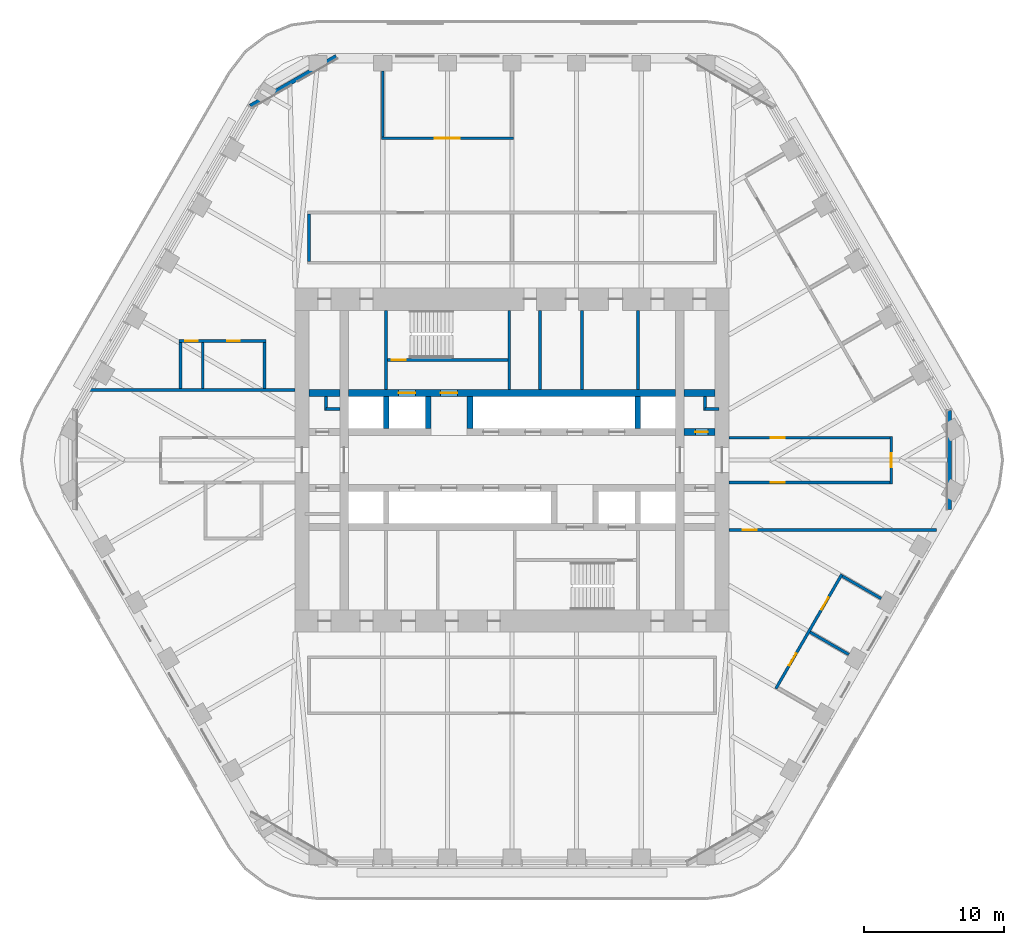
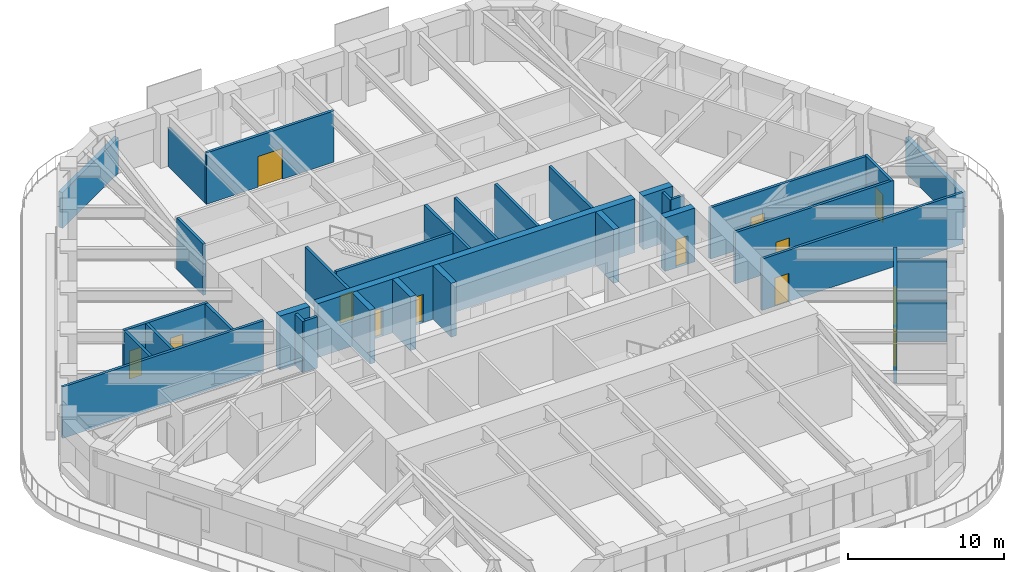
# One storey, part 16 of 20: 35 walls, 13 doors, 13 openings.
"""IFC4 building model written with IfcOpenShell, lengths in metres."""

from ifc_helpers import new_model, si_unit, direction, frame, frame_2d, origin, place, context, subcontext, project, spatial, rectangle, extrude, material, layer, layer_set, type_object, element, fill, save


model = new_model("IFC4")

# Units and contexts
model_context = context("Model", 3, precision=1e-05, world=origin(), true_north=direction((0.0, 1.0)))
body_context = subcontext(model_context, "Body", "Model", "MODEL_VIEW")
ifc_project = project(units=[si_unit("LENGTHUNIT", "METRE"), si_unit("AREAUNIT", "SQUARE_METRE"), si_unit("VOLUMEUNIT", "CUBIC_METRE"), si_unit("PLANEANGLEUNIT", "RADIAN"), si_unit("MASSUNIT", "GRAM", prefix="KILO")], contexts=[model_context])

# Site, building, storey
site_placement = place(None, origin())
site = spatial("IfcSite", under=ifc_project, at=site_placement, CompositionType="ELEMENT")
building_placement = place(site_placement, origin())
building = spatial("IfcBuilding", under=site, at=building_placement, Name="Tarfa Lantern Tower", CompositionType="ELEMENT")
storey_placement = place(building_placement, frame((0.0, 0.0, 240.699951171875)))
storey = spatial("IfcBuildingStorey", under=building, at=storey_placement, Name="L54", CompositionType="ELEMENT", Elevation=240.699951171875)

# Walls
ifc_material_1 = material(Name="Limestone cladding on blockwork", Category="masonry")
ifc_layer_1 = layer(ifc_material_1, 0.300048828125)
ifc_layer_set_1 = layer_set([ifc_layer_1], Name="EW1 STONE-CLAD WALL 300")
wall_type_1 = type_object("IfcWallType", Name="EW1 STONE-CLAD WALL 300", PredefinedType="SOLIDWALL", material=ifc_layer_set_1)
wall_1_placement = place(storey_placement, frame((-12.556396484375, 28.85009765625, 0.0), z_axis=(0.0, 0.0, 1.0), x_axis=(-0.866010973379, -0.500024993363, 0.0)))
element("IfcWall", 1, at=wall_1_placement, inside=storey, type_object=wall_type_1, Name="Garden wall N-NW", PredefinedType="SOLIDWALL", context=body_context, shape_type="SweptSolid", body=[
    extrude(rectangle(XDim=7.101806640625, YDim=0.300048828125, at=frame_2d((3.55078125, 0.0))), origin(), (0.0, 0.0, 1.0), 2.800048828125),
])
wall_2_placement = place(storey_placement, frame((31.262939453125, -3.55078125, 0.0), z_axis=(0.0, 0.0, 1.0), x_axis=(0.0, 1.0, 0.0)))
element("IfcWall", 2, at=wall_2_placement, inside=storey, type_object=wall_type_1, Name="Garden wall SE-NE", PredefinedType="SOLIDWALL", context=body_context, shape_type="SweptSolid", body=[
    extrude(rectangle(XDim=7.1015625, YDim=0.300048828125, at=frame_2d((3.55078125, 0.0))), origin(), (0.0, 0.0, 1.0), 2.800048828125),
])
ifc_material_2 = material(Name="Concrete blockwork", Category="masonry")
ifc_layer_2 = layer(ifc_material_2, 0.199951171875)
ifc_layer_set_2 = layer_set([ifc_layer_2], Name="IW1 BLOCKWORK PARTITION 200 EI 120")
wall_type_2 = type_object("IfcWallType", Name="IW1 BLOCKWORK PARTITION 200 EI 120", PredefinedType="PARTITIONING", material=ifc_layer_set_2)
for number, where, z_axis, x_axis, name in (
    (3, (-9.0, 5.050048828125, 0.0), (0.0, 0.0, 1.0), (0.0, 1.0, 0.0), "Core partition"),
    (4, (9.0, 5.050048828125, 0.0), (0.0, 0.0, 1.0), (0.0, 1.0, 0.0), "Core partition"),
    (5, (2.0, 5.050048828125, 0.0), (0.0, 0.0, 1.0), (0.0, 1.0, 0.0), "Core partition"),
    (6, (5.0, 5.050048828125, 0.0), (0.0, 0.0, 1.0), (0.0, 1.0, 0.0), "Core partition"),
):
    element("IfcWall", number, at=place(storey_placement, frame(where, z_axis=z_axis, x_axis=x_axis)), inside=storey, type_object=wall_type_2, Name=name, PredefinedType="PARTITIONING", context=body_context, shape_type="SweptSolid", body=[
        extrude(rectangle(XDim=5.64990234375, YDim=0.199951171875, at=frame_2d((2.824951171875, 0.0))), origin(), (0.0, 0.0, 1.0), 4.0),
    ])
for number, where, z_axis, x_axis, name in (
    (7, (-13.300048828125, 3.64990234375, 0.0), (0.0, 0.0, 1.0), (1.0, 0.0, 0.0), "Core partition"),
    (8, (-13.300048828125, 3.550048828125, 0.0), (0.0, 0.0, 1.0), (0.0, 1.0, 0.0), "Core partition"),
    (9, (13.800048828125, 3.64990234375, 0.0), (0.0, 0.0, 1.0), (1.0, 0.0, 0.0), "Core partition"),
    (10, (13.800048828125, 3.550048828125, 0.0), (0.0, 0.0, 1.0), (0.0, 1.0, 0.0), "Core partition"),
):
    element("IfcWall", number, at=place(storey_placement, frame(where, z_axis=z_axis, x_axis=x_axis)), inside=storey, type_object=wall_type_2, Name=name, PredefinedType="PARTITIONING", context=body_context, shape_type="SweptSolid", body=[
        extrude(rectangle(XDim=1.0, YDim=0.199951171875, at=frame_2d((0.5, 0.0))), origin(), (0.0, 0.0, 1.0), 4.0),
    ])
ifc_material_3 = material(Name="Gypsum board on steel studs", Category="steel")
ifc_layer_3 = layer(ifc_material_3, 0.2099609375)
ifc_layer_set_3 = layer_set([ifc_layer_3], Name="IW2 ACOUSTIC PARTITION 200")
wall_type_3 = type_object("IfcWallType", Name="IW2 ACOUSTIC PARTITION 200", PredefinedType="PARTITIONING", material=ifc_layer_set_3)
wall_3_placement = place(storey_placement, frame((-14.5, 14.199951171875, 0.0), z_axis=(0.0, 0.0, 1.0), x_axis=(0.0, 1.0, 0.0)))
element("IfcWall", 11, at=wall_3_placement, inside=storey, type_object=wall_type_3, Name="Partition", PredefinedType="PARTITIONING", context=body_context, shape_type="SweptSolid", body=[
    extrude(rectangle(XDim=3.400146484375, YDim=0.199951171875, at=frame_2d((1.7001953125, 0.0))), origin(), (0.0, 0.0, 1.0), 4.0),
])

# Wall, opening, door
wall_4_placement = place(storey_placement, frame((0.10009765625, 23.0, 0.0), z_axis=(0.0, 0.0, 1.0), x_axis=(-1.0, 0.0, 0.0)))
wall_4 = element("IfcWall", 12, at=wall_4_placement, inside=storey, type_object=wall_type_3, Name="Partition", PredefinedType="PARTITIONING", context=body_context, shape_type="SweptSolid", body=[
    extrude(rectangle(XDim=9.437744140625, YDim=0.199951171875, at=frame_2d((4.71875, 0.0))), origin(), (0.0, 0.0, 1.0), 4.0),
])
opening_1_placement = place(wall_4_placement, frame((3.81884765625, 0.0, 0.0)))
opening_1 = element("IfcOpeningElement", 13, at=opening_1_placement, cuts=wall_4, Name="Opening D27", PredefinedType="OPENING", context=body_context, shape_type="SweptSolid", body=[
    extrude(rectangle(XDim=1.800048828125, YDim=2.39990234375, at=frame_2d((0.89990234375, 1.199951171875))), frame((0.0, 0.10986328125, 0.0), z_axis=(0.0, -1.0, 0.0), x_axis=(1.0, 0.0, 0.0)), (0.0, 0.0, 1.0), 0.219970703125),
])
ifc_material_4 = material(Name="Timber door", Category="wood")
door_type_1 = type_object("IfcDoorType", Name="DR2 ROOM DOOR 1800x2400", OperationType="DOUBLE_DOOR_SINGLE_SWING", PredefinedType="DOOR", material=ifc_material_4)
door_1_placement = place(opening_1_placement, frame((1.800048828125, 0.0, 0.0), z_axis=(0.0, 0.0, 1.0), x_axis=(-1.0, 0.0, 0.0)))
door_1 = element("IfcDoor", 14, at=door_1_placement, inside=storey, type_object=door_type_1, Name="Hearing room door", OperationType="DOUBLE_DOOR_SINGLE_SWING", OverallHeight=2.39990234375, OverallWidth=1.800048828125, PredefinedType="DOOR", context=body_context, shape_type="SweptSolid", body=[
    extrude(rectangle(XDim=1.800048828125, YDim=2.39990234375, at=frame_2d((0.89990234375, 1.199951171875))), frame((0.0, 0.02490234375, 0.0), z_axis=(0.0, -1.0, 0.0), x_axis=(1.0, 0.0, 0.0)), (0.0, 0.0, 1.0), 0.050048828125),
])
fill(opening_1, door_1)

# Wall
wall_5_placement = place(storey_placement, frame((-9.237548828125, 23.10009765625, 0.0), z_axis=(0.0, 0.0, 1.0), x_axis=(0.0, 1.0, 0.0)))
element("IfcWall", 15, at=wall_5_placement, inside=storey, type_object=wall_type_3, Name="Partition", PredefinedType="PARTITIONING", context=body_context, shape_type="SweptSolid", body=[
    extrude(rectangle(XDim=4.699951171875, YDim=0.199951171875, at=frame_2d((2.35009765625, 0.0))), origin(), (0.0, 0.0, 1.0), 2.991943359375),
])

# Wall, openings, doors
wall_6_placement = place(storey_placement, frame((18.858154296875, -16.336669921875, 0.0), z_axis=(0.0, 0.0, 1.0), x_axis=(0.499989672313, 0.866031366395, 0.0)))
wall_6 = element("IfcWall", 16, at=wall_6_placement, inside=storey, type_object=wall_type_3, Name="Partition", PredefinedType="PARTITIONING", context=body_context, shape_type="SweptSolid", body=[
    extrude(rectangle(XDim=9.437744140625, YDim=0.199951171875, at=frame_2d((4.71875, 0.0))), origin(), (0.0, 0.0, 1.0), 4.0),
])
opening_2_placement = place(wall_6_placement, frame((1.909423828125, 0.0, 0.0)))
opening_2 = element("IfcOpeningElement", 17, at=opening_2_placement, cuts=wall_6, Name="Opening D32", PredefinedType="OPENING", context=body_context, shape_type="SweptSolid", body=[
    extrude(rectangle(XDim=1.0, YDim=2.199951171875, at=frame_2d((0.5, 1.10009765625))), frame((0.0, 0.10986328125, 0.0), z_axis=(0.0, -1.0, 0.0), x_axis=(1.0, 0.0, 0.0)), (0.0, 0.0, 1.0), 0.219970703125),
])
opening_3_placement = place(wall_6_placement, frame((6.5283203125, 0.0, 0.0)))
opening_3 = element("IfcOpeningElement", 18, at=opening_3_placement, cuts=wall_6, Name="Opening D33", PredefinedType="OPENING", context=body_context, shape_type="SweptSolid", body=[
    extrude(rectangle(XDim=1.0, YDim=2.199951171875, at=frame_2d((0.5, 1.10009765625))), frame((0.0, 0.10986328125, 0.0), z_axis=(0.0, -1.0, 0.0), x_axis=(1.0, 0.0, 0.0)), (0.0, 0.0, 1.0), 0.219970703125),
])
door_type_2 = type_object("IfcDoorType", Name="DR1 ROOM DOOR 1000x2200", OperationType="SINGLE_SWING_LEFT", PredefinedType="DOOR", material=ifc_material_4)
door_2_placement = place(opening_2_placement, frame((1.0, 0.0, 0.0), z_axis=(0.0, 0.0, 1.0), x_axis=(-1.0, 0.0, 0.0)))
door_2 = element("IfcDoor", 19, at=door_2_placement, inside=storey, type_object=door_type_2, Name="Investigator's office door", OperationType="SINGLE_SWING_LEFT", OverallHeight=2.199951171875, OverallWidth=1.0, PredefinedType="DOOR", context=body_context, shape_type="SweptSolid", body=[
    extrude(rectangle(XDim=1.0, YDim=2.199951171875, at=frame_2d((0.5, 1.10009765625))), frame((0.0, 0.02490234375, 0.0), z_axis=(0.0, -1.0, 0.0), x_axis=(1.0, 0.0, 0.0)), (0.0, 0.0, 1.0), 0.050048828125),
])
fill(opening_2, door_2)
door_3_placement = place(opening_3_placement, frame((1.0, 0.0, 0.0), z_axis=(0.0, 0.0, 1.0), x_axis=(-1.0, 0.0, 0.0)))
door_3 = element("IfcDoor", 20, at=door_3_placement, inside=storey, type_object=door_type_2, Name="Investigator's office door", OperationType="SINGLE_SWING_RIGHT", OverallHeight=2.199951171875, OverallWidth=1.0, PredefinedType="DOOR", context=body_context, shape_type="SweptSolid", body=[
    extrude(rectangle(XDim=1.0, YDim=2.199951171875, at=frame_2d((0.5, 1.10009765625))), frame((0.0, 0.02490234375, 0.0), z_axis=(0.0, -1.0, 0.0), x_axis=(1.0, 0.0, 0.0)), (0.0, 0.0, 1.0), 0.050048828125),
])
fill(opening_3, door_3)

# Walls
wall_7_placement = place(storey_placement, frame((21.30419921875, -12.300048828125, 0.0), z_axis=(0.0, 0.0, 1.0), x_axis=(0.866042017984, -0.499971222258, 0.0)))
element("IfcWall", 21, at=wall_7_placement, inside=storey, type_object=wall_type_3, Name="Partition", PredefinedType="PARTITIONING", context=body_context, shape_type="SweptSolid", body=[
    extrude(rectangle(XDim=3.199951171875, YDim=0.199951171875, at=frame_2d((1.60009765625, 0.0))), origin(), (0.0, 0.0, 1.0), 3.08154296875),
])
wall_8_placement = place(storey_placement, frame((23.613525390625, -8.300048828125, 0.0), z_axis=(0.0, 0.0, 1.0), x_axis=(0.866061088033, -0.499938187974, 0.0)))
element("IfcWall", 22, at=wall_8_placement, inside=storey, type_object=wall_type_3, Name="Partition", PredefinedType="PARTITIONING", context=body_context, shape_type="SweptSolid", body=[
    extrude(rectangle(XDim=3.2001953125, YDim=0.199951171875, at=frame_2d((1.60009765625, 0.0))), origin(), (0.0, 0.0, 1.0), 3.08154296875),
])

# Wall, opening, door
wall_9_placement = place(storey_placement, frame((15.5, 1.60009765625, 0.0), z_axis=(0.0, 0.0, 1.0), x_axis=(1.0, 0.0, 0.0)))
wall_9 = element("IfcWall", 23, at=wall_9_placement, inside=storey, type_object=wall_type_3, Name="Partition", PredefinedType="PARTITIONING", context=body_context, shape_type="SweptSolid", body=[
    extrude(rectangle(XDim=11.699951171875, YDim=0.199951171875, at=frame_2d((5.85009765625, 0.0))), origin(), (0.0, 0.0, 1.0), 4.0),
])
opening_4_placement = place(wall_9_placement, frame((3.010009765625, 0.0, 0.0)))
opening_4 = element("IfcOpeningElement", 24, at=opening_4_placement, cuts=wall_9, Name="Opening D41", PredefinedType="OPENING", context=body_context, shape_type="SweptSolid", body=[
    extrude(rectangle(XDim=1.0, YDim=2.199951171875, at=frame_2d((0.5, 1.10009765625))), frame((0.0, 0.10986328125, 0.0), z_axis=(0.0, -1.0, 0.0), x_axis=(1.0, 0.0, 0.0)), (0.0, 0.0, 1.0), 0.219970703125),
])
door_4_placement = place(opening_4_placement, origin())
door_4 = element("IfcDoor", 25, at=door_4_placement, inside=storey, type_object=door_type_2, Name="Corridor door", OperationType="SINGLE_SWING_RIGHT", OverallHeight=2.199951171875, OverallWidth=1.0, PredefinedType="DOOR", context=body_context, shape_type="SweptSolid", body=[
    extrude(rectangle(XDim=1.0, YDim=2.199951171875, at=frame_2d((0.5, 1.10009765625))), frame((0.0, 0.02490234375, 0.0), z_axis=(0.0, -1.0, 0.0), x_axis=(1.0, 0.0, 0.0)), (0.0, 0.0, 1.0), 0.050048828125),
])
fill(opening_4, door_4)

wall_10_placement = place(storey_placement, frame((15.5, -1.60009765625, 0.0), z_axis=(0.0, 0.0, 1.0), x_axis=(1.0, 0.0, 0.0)))
wall_10 = element("IfcWall", 26, at=wall_10_placement, inside=storey, type_object=wall_type_3, Name="Partition", PredefinedType="PARTITIONING", context=body_context, shape_type="SweptSolid", body=[
    extrude(rectangle(XDim=11.699951171875, YDim=0.199951171875, at=frame_2d((5.85009765625, 0.0))), origin(), (0.0, 0.0, 1.0), 4.0),
])
opening_5_placement = place(wall_10_placement, frame((3.010009765625, 0.0, 0.0)))
opening_5 = element("IfcOpeningElement", 27, at=opening_5_placement, cuts=wall_10, Name="Opening D42", PredefinedType="OPENING", context=body_context, shape_type="SweptSolid", body=[
    extrude(rectangle(XDim=1.0, YDim=2.199951171875, at=frame_2d((0.5, 1.10009765625))), frame((0.0, 0.10986328125, 0.0), z_axis=(0.0, -1.0, 0.0), x_axis=(1.0, 0.0, 0.0)), (0.0, 0.0, 1.0), 0.219970703125),
])
door_5_placement = place(opening_5_placement, frame((1.0, 0.0, 0.0), z_axis=(0.0, 0.0, 1.0), x_axis=(-1.0, 0.0, 0.0)))
door_5 = element("IfcDoor", 28, at=door_5_placement, inside=storey, type_object=door_type_2, Name="Corridor door", OperationType="SINGLE_SWING_LEFT", OverallHeight=2.199951171875, OverallWidth=1.0, PredefinedType="DOOR", context=body_context, shape_type="SweptSolid", body=[
    extrude(rectangle(XDim=1.0, YDim=2.199951171875, at=frame_2d((0.5, 1.10009765625))), frame((0.0, 0.02490234375, 0.0), z_axis=(0.0, -1.0, 0.0), x_axis=(1.0, 0.0, 0.0)), (0.0, 0.0, 1.0), 0.050048828125),
])
fill(opening_5, door_5)

wall_11_placement = place(storey_placement, frame((27.10009765625, -1.699951171875, 0.0), z_axis=(0.0, 0.0, 1.0), x_axis=(0.0, 1.0, 0.0)))
wall_11 = element("IfcWall", 29, at=wall_11_placement, inside=storey, type_object=wall_type_3, Name="Partition", PredefinedType="PARTITIONING", context=body_context, shape_type="SweptSolid", body=[
    extrude(rectangle(XDim=3.39990234375, YDim=0.199951171875, at=frame_2d((1.699951171875, 0.0))), origin(), (0.0, 0.0, 1.0), 4.0),
])
opening_6_placement = place(wall_11_placement, frame((1.199951171875, 0.0, 0.0)))
opening_6 = element("IfcOpeningElement", 30, at=opening_6_placement, cuts=wall_11, Name="Opening D40", PredefinedType="OPENING", context=body_context, shape_type="SweptSolid", body=[
    extrude(rectangle(XDim=1.0, YDim=2.199951171875, at=frame_2d((0.5, 1.10009765625))), frame((0.0, 0.10986328125, 0.0), z_axis=(0.0, -1.0, 0.0), x_axis=(1.0, 0.0, 0.0)), (0.0, 0.0, 1.0), 0.219970703125),
])
door_6_placement = place(opening_6_placement, frame((1.0, 0.0, 0.0), z_axis=(0.0, 0.0, 1.0), x_axis=(-1.0, 0.0, 0.0)))
door_6 = element("IfcDoor", 31, at=door_6_placement, inside=storey, type_object=door_type_2, Name="Corridor door", OperationType="SINGLE_SWING_LEFT", OverallHeight=2.199951171875, OverallWidth=1.0, PredefinedType="DOOR", context=body_context, shape_type="SweptSolid", body=[
    extrude(rectangle(XDim=1.0, YDim=2.199951171875, at=frame_2d((0.5, 1.10009765625))), frame((0.0, 0.02490234375, 0.0), z_axis=(0.0, -1.0, 0.0), x_axis=(1.0, 0.0, 0.0)), (0.0, 0.0, 1.0), 0.050048828125),
])
fill(opening_6, door_6)

wall_12_placement = place(storey_placement, frame((15.5, -5.0, 0.0), z_axis=(0.0, 0.0, 1.0), x_axis=(1.0, 0.0, 0.0)))
wall_12 = element("IfcWall", 32, at=wall_12_placement, inside=storey, type_object=wall_type_3, Name="Partition", PredefinedType="PARTITIONING", context=body_context, shape_type="SweptSolid", body=[
    extrude(rectangle(XDim=14.845458984375, YDim=0.199951171875, at=frame_2d((7.4228515625, 0.0))), origin(), (0.0, 0.0, 1.0), 4.0),
])
opening_7_placement = place(wall_12_placement, frame((0.984619140625, 0.0, 0.0)))
opening_7 = element("IfcOpeningElement", 33, at=opening_7_placement, cuts=wall_12, Name="Opening D46", PredefinedType="OPENING", context=body_context, shape_type="SweptSolid", body=[
    extrude(rectangle(XDim=1.0, YDim=2.199951171875, at=frame_2d((0.5, 1.10009765625))), frame((0.0, 0.10986328125, 0.0), z_axis=(0.0, -1.0, 0.0), x_axis=(1.0, 0.0, 0.0)), (0.0, 0.0, 1.0), 0.219970703125),
])
door_7_placement = place(opening_7_placement, origin())
door_7 = element("IfcDoor", 34, at=door_7_placement, inside=storey, type_object=door_type_2, Name="Zone door", OperationType="SINGLE_SWING_RIGHT", OverallHeight=2.199951171875, OverallWidth=1.0, PredefinedType="DOOR", context=body_context, shape_type="SweptSolid", body=[
    extrude(rectangle(XDim=1.0, YDim=2.199951171875, at=frame_2d((0.5, 1.10009765625))), frame((0.0, 0.02490234375, 0.0), z_axis=(0.0, -1.0, 0.0), x_axis=(1.0, 0.0, 0.0)), (0.0, 0.0, 1.0), 0.050048828125),
])
fill(opening_7, door_7)

# Wall
wall_13_placement = place(storey_placement, frame((-15.5, 5.0, 0.0), z_axis=(0.0, 0.0, 1.0), x_axis=(-1.0, 0.0, 0.0)))
element("IfcWall", 35, at=wall_13_placement, inside=storey, type_object=wall_type_3, Name="Partition", PredefinedType="PARTITIONING", context=body_context, shape_type="SweptSolid", body=[
    extrude(rectangle(XDim=14.845458984375, YDim=0.199951171875, at=frame_2d((7.4228515625, 0.0))), origin(), (0.0, 0.0, 1.0), 4.0),
])

# Wall, openings, doors
wall_14_placement = place(storey_placement, frame((-17.595947265625, 8.5, 0.0), z_axis=(0.0, 0.0, 1.0), x_axis=(-1.0, 0.0, 0.0)))
wall_14 = element("IfcWall", 36, at=wall_14_placement, inside=storey, type_object=wall_type_3, Name="Partition", PredefinedType="PARTITIONING", context=body_context, shape_type="SweptSolid", body=[
    extrude(rectangle(XDim=6.199951171875, YDim=0.199951171875, at=frame_2d((3.10009765625, 0.0))), origin(), (0.0, 0.0, 1.0), 4.0),
])
opening_8_placement = place(wall_14_placement, frame((1.85009765625, 0.0, 0.0)))
opening_8 = element("IfcOpeningElement", 37, at=opening_8_placement, cuts=wall_14, Name="Opening D38", PredefinedType="OPENING", context=body_context, shape_type="SweptSolid", body=[
    extrude(rectangle(XDim=0.89990234375, YDim=2.199951171875, at=frame_2d((0.449951171875, 1.10009765625))), frame((0.0, 0.10986328125, 0.0), z_axis=(0.0, -1.0, 0.0), x_axis=(1.0, 0.0, 0.0)), (0.0, 0.0, 1.0), 0.219970703125),
])
opening_9_placement = place(wall_14_placement, frame((4.85009765625, 0.0, 0.0)))
opening_9 = element("IfcOpeningElement", 38, at=opening_9_placement, cuts=wall_14, Name="Opening D39", PredefinedType="OPENING", context=body_context, shape_type="SweptSolid", body=[
    extrude(rectangle(XDim=0.89990234375, YDim=2.199951171875, at=frame_2d((0.449951171875, 1.10009765625))), frame((0.0, 0.10986328125, 0.0), z_axis=(0.0, -1.0, 0.0), x_axis=(1.0, 0.0, 0.0)), (0.0, 0.0, 1.0), 0.219970703125),
])
door_type_3 = type_object("IfcDoorType", Name="DR3 ROOM DOOR 900x2200", OperationType="SINGLE_SWING_LEFT", PredefinedType="DOOR", material=ifc_material_4)
door_8_placement = place(opening_8_placement, origin())
door_8 = element("IfcDoor", 39, at=door_8_placement, inside=storey, type_object=door_type_3, Name="Meeting room door", OperationType="SINGLE_SWING_RIGHT", OverallHeight=2.199951171875, OverallWidth=0.89990234375, PredefinedType="DOOR", context=body_context, shape_type="SweptSolid", body=[
    extrude(rectangle(XDim=0.89990234375, YDim=2.199951171875, at=frame_2d((0.449951171875, 1.10009765625))), frame((0.0, 0.02490234375, 0.0), z_axis=(0.0, -1.0, 0.0), x_axis=(1.0, 0.0, 0.0)), (0.0, 0.0, 1.0), 0.050048828125),
])
fill(opening_8, door_8)
door_9_placement = place(opening_9_placement, origin())
door_9 = element("IfcDoor", 40, at=door_9_placement, inside=storey, type_object=door_type_3, Name="Phone booth door", OperationType="SINGLE_SWING_LEFT", OverallHeight=2.199951171875, OverallWidth=0.89990234375, PredefinedType="DOOR", context=body_context, shape_type="SweptSolid", body=[
    extrude(rectangle(XDim=0.89990234375, YDim=2.199951171875, at=frame_2d((0.449951171875, 1.10009765625))), frame((0.0, 0.02490234375, 0.0), z_axis=(0.0, -1.0, 0.0), x_axis=(1.0, 0.0, 0.0)), (0.0, 0.0, 1.0), 0.050048828125),
])
fill(opening_9, door_9)

# Walls
for number, where, z_axis, x_axis, name in (
    (41, (-17.69580078125, 5.10009765625, 0.0), (0.0, 0.0, 1.0), (0.0, 1.0, 0.0), "Partition"),
    (42, (-22.095947265625, 5.10009765625, 0.0), (0.0, 0.0, 1.0), (0.0, 1.0, 0.0), "Partition"),
    (43, (-23.69580078125, 5.10009765625, 0.0), (0.0, 0.0, 1.0), (0.0, 1.0, 0.0), "Partition"),
):
    element("IfcWall", number, at=place(storey_placement, frame(where, z_axis=z_axis, x_axis=x_axis)), inside=storey, type_object=wall_type_3, Name=name, PredefinedType="PARTITIONING", context=body_context, shape_type="SweptSolid", body=[
        extrude(rectangle(XDim=3.2998046875, YDim=0.199951171875, at=frame_2d((1.64990234375, 0.0))), origin(), (0.0, 0.0, 1.0), 4.0),
    ])
ifc_material_5 = material(Name="Concrete C80/95", Category="concrete")
ifc_layer_4 = layer(ifc_material_5, 0.199951171875)
ifc_layer_set_4 = layer_set([ifc_layer_4], Name="SW12 CORE WALL 200")
wall_type_4 = type_object("IfcWallType", Name="SW12 CORE WALL 200", PredefinedType="SHEAR", material=ifc_layer_set_4)
wall_15_placement = place(storey_placement, frame((-0.199951171875, 5.050048828125, 0.0), z_axis=(0.0, 0.0, 1.0), x_axis=(0.0, 1.0, 0.0)))
element("IfcWall", 44, at=wall_15_placement, inside=storey, type_object=wall_type_4, Name="Core wall stair shaft N", PredefinedType="SHEAR", context=body_context, shape_type="SweptSolid", body=[
    extrude(rectangle(XDim=5.64990234375, YDim=0.199951171875, at=frame_2d((2.824951171875, 0.0))), origin(), (0.0, 0.0, 1.0), 4.199951171875),
])

# Wall, opening, door
wall_16_placement = place(storey_placement, frame((-8.89990234375, 7.14990234375, 0.0), z_axis=(0.0, 0.0, 1.0), x_axis=(1.0, 0.0, 0.0)))
wall_16 = element("IfcWall", 45, at=wall_16_placement, inside=storey, type_object=wall_type_4, Name="Core wall stair partition N", PredefinedType="SHEAR", context=body_context, shape_type="SweptSolid", body=[
    extrude(rectangle(XDim=8.599853515625, YDim=0.199951171875, at=frame_2d((4.2998046875, 0.0))), origin(), (0.0, 0.0, 1.0), 4.199951171875),
])
opening_10_placement = place(wall_16_placement, frame((0.300048828125, 0.0, 0.0)))
opening_10 = element("IfcOpeningElement", 46, at=opening_10_placement, cuts=wall_16, Name="Opening D23", PredefinedType="OPENING", context=body_context, shape_type="SweptSolid", body=[
    extrude(rectangle(XDim=1.0, YDim=2.199951171875, at=frame_2d((0.5, 1.10009765625))), frame((0.0, 0.10986328125, 0.0), z_axis=(0.0, -1.0, 0.0), x_axis=(1.0, 0.0, 0.0)), (0.0, 0.0, 1.0), 0.219970703125),
])
ifc_material_6 = material(Name="Steel fire door", Category="steel")
door_type_4 = type_object("IfcDoorType", Name="DF2 STAIR DOOR 1000x2200", OperationType="SINGLE_SWING_LEFT", PredefinedType="DOOR", material=ifc_material_6)
door_10_placement = place(opening_10_placement, origin())
door_10 = element("IfcDoor", 47, at=door_10_placement, inside=storey, type_object=door_type_4, Name="Stair door", OperationType="SINGLE_SWING_RIGHT", OverallHeight=2.199951171875, OverallWidth=1.0, PredefinedType="DOOR", context=body_context, shape_type="SweptSolid", body=[
    extrude(rectangle(XDim=1.0, YDim=2.199951171875, at=frame_2d((0.5, 1.10009765625))), frame((0.0, 0.02490234375, 0.0), z_axis=(0.0, -1.0, 0.0), x_axis=(1.0, 0.0, 0.0)), (0.0, 0.0, 1.0), 0.050048828125),
])
fill(opening_10, door_10)

ifc_layer_5 = layer(ifc_material_5, 0.5)
ifc_layer_set_5 = layer_set([ifc_layer_5], Name="SW5 CORE WALL 500")
wall_type_5 = type_object("IfcWallType", Name="SW5 CORE WALL 500", PredefinedType="SHEAR", material=ifc_layer_set_5)
wall_17_placement = place(storey_placement, frame((12.300048828125, 2.0, 0.0), z_axis=(0.0, 0.0, 1.0), x_axis=(1.0, 0.0, 0.0)))
wall_17 = element("IfcWall", 48, at=wall_17_placement, inside=storey, type_object=wall_type_5, Name="Core wall lobby east N", PredefinedType="SHEAR", context=body_context, shape_type="SweptSolid", body=[
    extrude(rectangle(XDim=2.199951171875, YDim=0.5, at=frame_2d((1.10009765625, 0.0))), origin(), (0.0, 0.0, 1.0), 4.199951171875),
])
opening_11_placement = place(wall_17_placement, frame((0.800048828125, 0.0, 0.0)))
opening_11 = element("IfcOpeningElement", 49, at=opening_11_placement, cuts=wall_17, Name="Opening D13", PredefinedType="OPENING", context=body_context, shape_type="SweptSolid", body=[
    extrude(rectangle(XDim=0.89990234375, YDim=2.199951171875, at=frame_2d((0.449951171875, 1.10009765625))), frame((0.0, 0.260009765625, 0.0), z_axis=(0.0, -1.0, 0.0), x_axis=(1.0, 0.0, 0.0)), (0.0, 0.0, 1.0), 0.52001953125),
])
door_type_5 = type_object("IfcDoorType", Name="DF6 SERVICE ROOM DOOR 900x2200", OperationType="SINGLE_SWING_LEFT", PredefinedType="DOOR", material=ifc_material_6)
door_11_placement = place(opening_11_placement, origin())
door_11 = element("IfcDoor", 50, at=door_11_placement, inside=storey, type_object=door_type_5, Name="Service room door", OperationType="SINGLE_SWING_LEFT", OverallHeight=2.199951171875, OverallWidth=0.89990234375, PredefinedType="DOOR", context=body_context, shape_type="SweptSolid", body=[
    extrude(rectangle(XDim=0.89990234375, YDim=2.199951171875, at=frame_2d((0.449951171875, 1.10009765625))), frame((0.0, 0.02490234375, 0.0), z_axis=(0.0, -1.0, 0.0), x_axis=(1.0, 0.0, 0.0)), (0.0, 0.0, 1.0), 0.050048828125),
])
fill(opening_11, door_11)

# Wall
wall_18_placement = place(storey_placement, frame((-14.5, 4.800048828125, 0.0), z_axis=(0.0, 0.0, 1.0), x_axis=(1.0, 0.0, 0.0)))
element("IfcWall", 51, at=wall_18_placement, inside=storey, type_object=wall_type_5, Name="Core wall rear N", PredefinedType="SHEAR", context=body_context, shape_type="SweptSolid", body=[
    extrude(rectangle(XDim=2.199951171875, YDim=0.5, at=frame_2d((1.10009765625, 0.0))), origin(), (0.0, 0.0, 1.0), 4.199951171875),
])

# Wall, openings, doors
wall_19_placement = place(storey_placement, frame((-11.699951171875, 4.800048828125, 0.0), z_axis=(0.0, 0.0, 1.0), x_axis=(1.0, 0.0, 0.0)))
wall_19 = element("IfcWall", 52, at=wall_19_placement, inside=storey, type_object=wall_type_5, Name="Core wall rear N", PredefinedType="SHEAR", context=body_context, shape_type="SweptSolid", body=[
    extrude(rectangle(XDim=23.39990234375, YDim=0.5, at=frame_2d((11.699951171875, 0.0))), origin(), (0.0, 0.0, 1.0), 4.199951171875),
])
opening_12_placement = place(wall_19_placement, frame((6.60009765625, 0.0, 0.0)))
opening_12 = element("IfcOpeningElement", 53, at=opening_12_placement, cuts=wall_19, Name="Opening D09", PredefinedType="OPENING", context=body_context, shape_type="SweptSolid", body=[
    extrude(rectangle(XDim=1.199951171875, YDim=2.199951171875, at=frame_2d((0.60009765625, 1.10009765625))), frame((0.0, 0.260009765625, 0.0), z_axis=(0.0, -1.0, 0.0), x_axis=(1.0, 0.0, 0.0)), (0.0, 0.0, 1.0), 0.52001953125),
])
opening_13_placement = place(wall_19_placement, frame((3.60009765625, 0.0, 0.0)))
opening_13 = element("IfcOpeningElement", 54, at=opening_13_placement, cuts=wall_19, Name="Opening LD01", PredefinedType="OPENING", context=body_context, shape_type="SweptSolid", body=[
    extrude(rectangle(XDim=1.199951171875, YDim=2.199951171875, at=frame_2d((0.60009765625, 1.10009765625))), frame((0.0, 0.260009765625, 0.0), z_axis=(0.0, -1.0, 0.0), x_axis=(1.0, 0.0, 0.0)), (0.0, 0.0, 1.0), 0.52001953125),
])
door_type_6 = type_object("IfcDoorType", Name="DF1 FIREFIGHTING LOBBY DOOR 1200x2200", OperationType="SINGLE_SWING_LEFT", PredefinedType="DOOR", material=ifc_material_6)
door_12_placement = place(opening_12_placement, origin())
door_12 = element("IfcDoor", 55, at=door_12_placement, inside=storey, type_object=door_type_6, Name="Firefighting lobby door", OperationType="SINGLE_SWING_LEFT", OverallHeight=2.199951171875, OverallWidth=1.199951171875, PredefinedType="DOOR", context=body_context, shape_type="SweptSolid", body=[
    extrude(rectangle(XDim=1.199951171875, YDim=2.199951171875, at=frame_2d((0.60009765625, 1.10009765625))), frame((0.0, 0.02490234375, 0.0), z_axis=(0.0, -1.0, 0.0), x_axis=(1.0, 0.0, 0.0)), (0.0, 0.0, 1.0), 0.050048828125),
])
fill(opening_12, door_12)
ifc_material_7 = material(Name="Stainless steel lift door", Category="steel")
door_type_7 = type_object("IfcDoorType", Name="LD1 LIFT LANDING DOOR 1200x2200", OperationType="SLIDING_TO_LEFT", PredefinedType="DOOR", material=ifc_material_7)
door_13_placement = place(opening_13_placement, origin())
door_13 = element("IfcDoor", 56, at=door_13_placement, inside=storey, type_object=door_type_7, Name="Landing door FL1", OperationType="SLIDING_TO_LEFT", OverallHeight=2.199951171875, OverallWidth=1.199951171875, PredefinedType="DOOR", context=body_context, shape_type="SweptSolid", body=[
    extrude(rectangle(XDim=1.199951171875, YDim=2.199951171875, at=frame_2d((0.60009765625, 1.10009765625))), frame((0.0, 0.02490234375, 0.0), z_axis=(0.0, -1.0, 0.0), x_axis=(1.0, 0.0, 0.0)), (0.0, 0.0, 1.0), 0.050048828125),
])
fill(opening_13, door_13)

# Walls
wall_20_placement = place(storey_placement, frame((12.300048828125, 4.800048828125, 0.0), z_axis=(0.0, 0.0, 1.0), x_axis=(1.0, 0.0, 0.0)))
element("IfcWall", 57, at=wall_20_placement, inside=storey, type_object=wall_type_5, Name="Core wall rear N", PredefinedType="SHEAR", context=body_context, shape_type="SweptSolid", body=[
    extrude(rectangle(XDim=2.199951171875, YDim=0.5, at=frame_2d((1.10009765625, 0.0))), origin(), (0.0, 0.0, 1.0), 4.199951171875),
])
ifc_layer_6 = layer(ifc_material_5, 0.39990234375)
ifc_layer_set_6 = layer_set([ifc_layer_6], Name="SW6 CORE WALL 400")
wall_type_6 = type_object("IfcWallType", Name="SW6 CORE WALL 400", PredefinedType="SHEAR", material=ifc_layer_set_6)
for number, where, z_axis, x_axis, name in (
    (58, (-9.0, 2.25, 0.0), (0.0, 0.0, 1.0), (0.0, 1.0, 0.0), "Core wall divider N"),
    (59, (-6.0, 2.25, 0.0), (0.0, 0.0, 1.0), (0.0, 1.0, 0.0), "Core wall divider N"),
    (60, (-3.0, 2.25, 0.0), (0.0, 0.0, 1.0), (0.0, 1.0, 0.0), "Core wall divider N"),
    (61, (9.0, 2.25, 0.0), (0.0, 0.0, 1.0), (0.0, 1.0, 0.0), "Core wall divider N"),
):
    element("IfcWall", number, at=place(storey_placement, frame(where, z_axis=z_axis, x_axis=x_axis)), inside=storey, type_object=wall_type_6, Name=name, PredefinedType="SHEAR", context=body_context, shape_type="SweptSolid", body=[
        extrude(rectangle(XDim=2.300048828125, YDim=0.39990234375, at=frame_2d((1.14990234375, 0.0))), origin(), (0.0, 0.0, 1.0), 4.199951171875),
    ])

save(model, "model.ifc")
